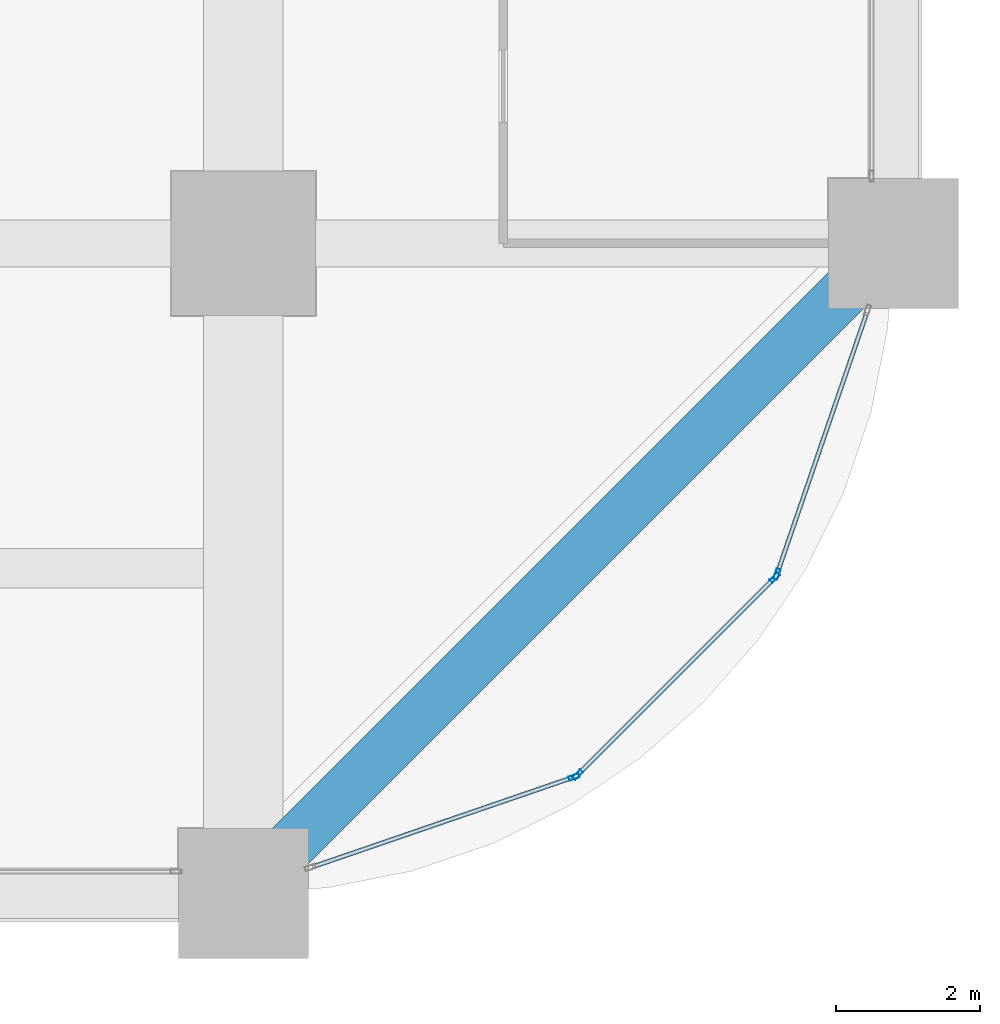
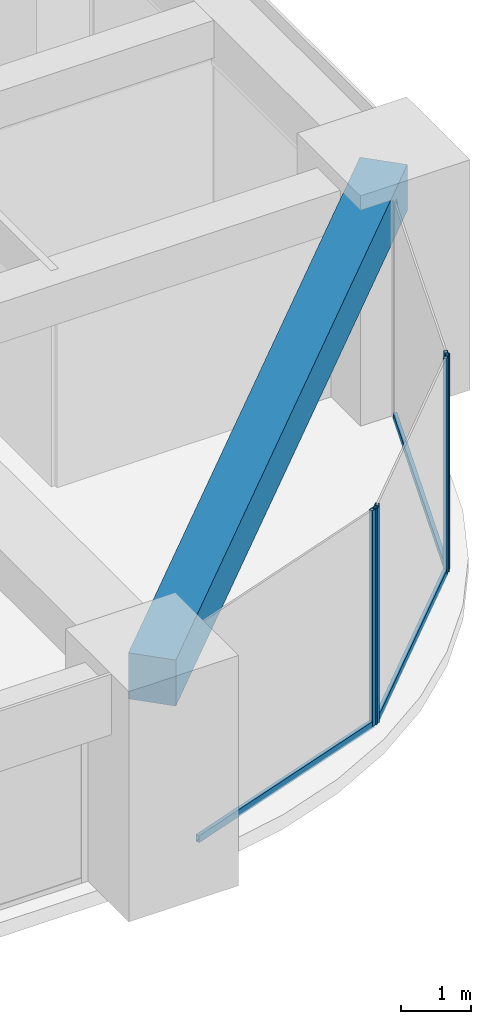
# One storey, part 17 of 41: 7 members, 1 beam, 3 elements without a shape of their own.
"""IFC4 building model written with IfcOpenShell, lengths in metres."""

from ifc_helpers import new_model, si_unit, direction, frame, origin, origin_2d, place, context, subcontext, project, spatial, rectangle, hollow_rectangle, extrude, material, material_profile, profile_set, type_object, element, aggregate, save


model = new_model("IFC4")

# Units and contexts
model_context = context("Model", 3, precision=1e-05, world=origin(), true_north=direction((0.0, 1.0)))
body_context = subcontext(model_context, "Body", "Model", "MODEL_VIEW")
ifc_project = project(units=[si_unit("LENGTHUNIT", "METRE"), si_unit("AREAUNIT", "SQUARE_METRE"), si_unit("VOLUMEUNIT", "CUBIC_METRE"), si_unit("PLANEANGLEUNIT", "RADIAN"), si_unit("MASSUNIT", "GRAM", prefix="KILO")], contexts=[model_context])

# Site, building, storey
site_placement = place(None, origin())
site = spatial("IfcSite", under=ifc_project, at=site_placement, CompositionType="ELEMENT")
building_placement = place(site_placement, origin())
building = spatial("IfcBuilding", under=site, at=building_placement, Name="Zorevar Civic Tower", CompositionType="ELEMENT")
storey_placement = place(building_placement, frame((0.0, 0.0, 113.0)))
storey = spatial("IfcBuildingStorey", under=building, at=storey_placement, Name="L27", CompositionType="ELEMENT", Elevation=113.0)

# Curtain wall, member
ifc_material_1 = material(Name="Dark grey solar-control glass in black aluminium frame", Category="aluminium")
curtain_wall_type = type_object("IfcCurtainWallType", Name="Curtain wall CW3 mid zone", PredefinedType="NOTDEFINED", material=ifc_material_1)
curtain_wall_1_placement = place(storey_placement, origin())
curtain_wall_1 = element("IfcCurtainWall", 1, at=curtain_wall_1_placement, inside=storey, type_object=curtain_wall_type, Name="CW3 L27", PredefinedType="NOTDEFINED")
ifc_material_2 = material(Name="Aluminium, black anodised", Category="aluminium")
ifc_material_profile_1 = material_profile(ifc_material_2, hollow_rectangle(XDim=0.06005859375, YDim=0.14990234375, WallThickness=0.00390625, at=origin_2d()), Name="AL 150x60x4")
ifc_profile_set_1 = profile_set([ifc_material_profile_1], Name="Aluminium, black anodised")
member_type_1 = type_object("IfcMemberType", Name="CW3 mullion AL 150x60x4", PredefinedType="MULLION", material=ifc_profile_set_1)
member_1_placement = place(storey_placement, frame((58.579345703125, 1.610595703125, 0.0), z_axis=(0.0, 0.0, 1.0), x_axis=(-0.324878466857, 0.945755772794, 0.0)))
member_1 = element("IfcMember", 2, at=member_1_placement, type_object=member_type_1, Name="CW3 mullion 2", PredefinedType="MULLION", context=body_context, shape_type="SweptSolid", body=[
    extrude(hollow_rectangle(XDim=0.06005859375, YDim=0.14990234375, WallThickness=0.00390625, at=origin_2d()), origin(), (0.0, 0.0, 1.0), 3.75),
])

# Curtain wall, members
curtain_wall_2_placement = place(storey_placement, origin())
curtain_wall_2 = element("IfcCurtainWall", 3, at=curtain_wall_2_placement, inside=storey, type_object=curtain_wall_type, Name="CW3 L27", PredefinedType="NOTDEFINED")
member_2_placement = place(storey_placement, frame((58.62890625, 1.6416015625, 0.0), z_axis=(0.0, 0.0, 1.0), x_axis=(-0.707106781187, 0.707106781187, 0.0)))
member_2 = element("IfcMember", 4, at=member_2_placement, type_object=member_type_1, Name="CW3 mullion 1", PredefinedType="MULLION", context=body_context, shape_type="SweptSolid", body=[
    extrude(hollow_rectangle(XDim=0.06005859375, YDim=0.14990234375, WallThickness=0.00390625, at=origin_2d()), origin(), (0.0, 0.0, 1.0), 3.75),
])
member_3_placement = place(storey_placement, frame((61.3583984375, 4.37109375, 0.0), z_axis=(0.0, 0.0, 1.0), x_axis=(-0.707106781187, 0.707106781187, 0.0)))
member_3 = element("IfcMember", 5, at=member_3_placement, type_object=member_type_1, Name="CW3 mullion 2", PredefinedType="MULLION", context=body_context, shape_type="SweptSolid", body=[
    extrude(hollow_rectangle(XDim=0.06005859375, YDim=0.14990234375, WallThickness=0.00390625, at=origin_2d()), origin(), (0.0, 0.0, 1.0), 3.75),
])

# Curtain wall, member
curtain_wall_3_placement = place(storey_placement, origin())
curtain_wall_3 = element("IfcCurtainWall", 6, at=curtain_wall_3_placement, inside=storey, type_object=curtain_wall_type, Name="CW3 L27", PredefinedType="NOTDEFINED")
member_4_placement = place(storey_placement, frame((61.389404296875, 4.420654296875, 0.0), z_axis=(0.0, 0.0, 1.0), x_axis=(-0.945755772794, 0.324878466857, 0.0)))
member_4 = element("IfcMember", 7, at=member_4_placement, type_object=member_type_1, Name="CW3 mullion 1", PredefinedType="MULLION", context=body_context, shape_type="SweptSolid", body=[
    extrude(hollow_rectangle(XDim=0.06005859375, YDim=0.14990234375, WallThickness=0.00390625, at=origin_2d()), origin(), (0.0, 0.0, 1.0), 3.75),
])

# Member
ifc_material_3 = material(Name="Aluminium, black anodised", Category="aluminium")
ifc_material_profile_2 = material_profile(ifc_material_3, hollow_rectangle(XDim=0.06005859375, YDim=0.1201171875, WallThickness=0.0029296875, at=origin_2d()), Name="AL 120x60x3")
ifc_profile_set_2 = profile_set([ifc_material_profile_2], Name="Aluminium, black anodised")
member_type_2 = type_object("IfcMemberType", Name="CW3 transom AL 120x60x3", PredefinedType="USERDEFINED", material=ifc_profile_set_2)
member_5_placement = place(storey_placement, frame((54.956787109375, 0.3662109375, 0.030029296875), z_axis=(0.945752620422, 0.324887643602, 0.0), x_axis=(-0.324887643602, 0.945752620422, 0.0)))
member_5 = element("IfcMember", 8, at=member_5_placement, type_object=member_type_2, Name="CW3 sill transom", ObjectType="TRANSOM", PredefinedType="USERDEFINED", context=body_context, shape_type="SweptSolid", body=[
    extrude(hollow_rectangle(XDim=0.06005859375, YDim=0.1201171875, WallThickness=0.0029296875, at=origin_2d()), origin(), (0.0, 0.0, 1.0), 3.800048828125),
])

aggregate(curtain_wall_1, [member_1, member_5])

member_6_placement = place(storey_placement, frame((58.650146484375, 1.662841796875, 0.030029296875), z_axis=(0.707106781187, 0.707106781187, 0.0), x_axis=(-0.707106781187, 0.707106781187, 0.0)))
member_6 = element("IfcMember", 9, at=member_6_placement, type_object=member_type_2, Name="CW3 sill transom", ObjectType="TRANSOM", PredefinedType="USERDEFINED", context=body_context, shape_type="SweptSolid", body=[
    extrude(hollow_rectangle(XDim=0.06005859375, YDim=0.1201171875, WallThickness=0.0029296875, at=origin_2d()), origin(), (0.0, 0.0, 1.0), 3.800048828125),
])

aggregate(curtain_wall_2, [member_2, member_3, member_6])

member_7_placement = place(storey_placement, frame((61.399169921875, 4.44921875, 0.030029296875), z_axis=(0.324887643602, 0.945752620422, 0.0), x_axis=(-0.945752620422, 0.324887643602, 0.0)))
member_7 = element("IfcMember", 10, at=member_7_placement, type_object=member_type_2, Name="CW3 sill transom", ObjectType="TRANSOM", PredefinedType="USERDEFINED", context=body_context, shape_type="SweptSolid", body=[
    extrude(hollow_rectangle(XDim=0.06005859375, YDim=0.1201171875, WallThickness=0.0029296875, at=origin_2d()), origin(), (0.0, 0.0, 1.0), 3.800048828125),
])

aggregate(curtain_wall_3, [member_4, member_7])

# Beam
ifc_material_4 = material(Name="Concrete C50/60", Category="concrete")
ifc_material_profile_3 = material_profile(ifc_material_4, rectangle(XDim=0.699951171875, YDim=0.800048828125, at=origin_2d()), Name="RC 700x800")
ifc_profile_set_3 = profile_set([ifc_material_profile_3], Name="Concrete C50/60")
beam_type = type_object("IfcBeamType", Name="Edge beam RC 700x800", PredefinedType="SPANDREL", material=ifc_profile_set_3)
beam_placement = place(storey_placement, frame((54.0, 0.0, 3.35009765625), z_axis=(0.707106781187, 0.707106781187, 0.0), x_axis=(-0.707106781187, 0.707106781187, 0.0)))
element("IfcBeam", 11, at=beam_placement, inside=storey, type_object=beam_type, Name="Corner edge beam L28", PredefinedType="SPANDREL", context=body_context, shape_type="SweptSolid", body=[
    extrude(rectangle(XDim=0.699951171875, YDim=0.800048828125, at=origin_2d()), origin(), (0.0, 0.0, 1.0), 12.72802734375),
])

save(model, "model.ifc")
